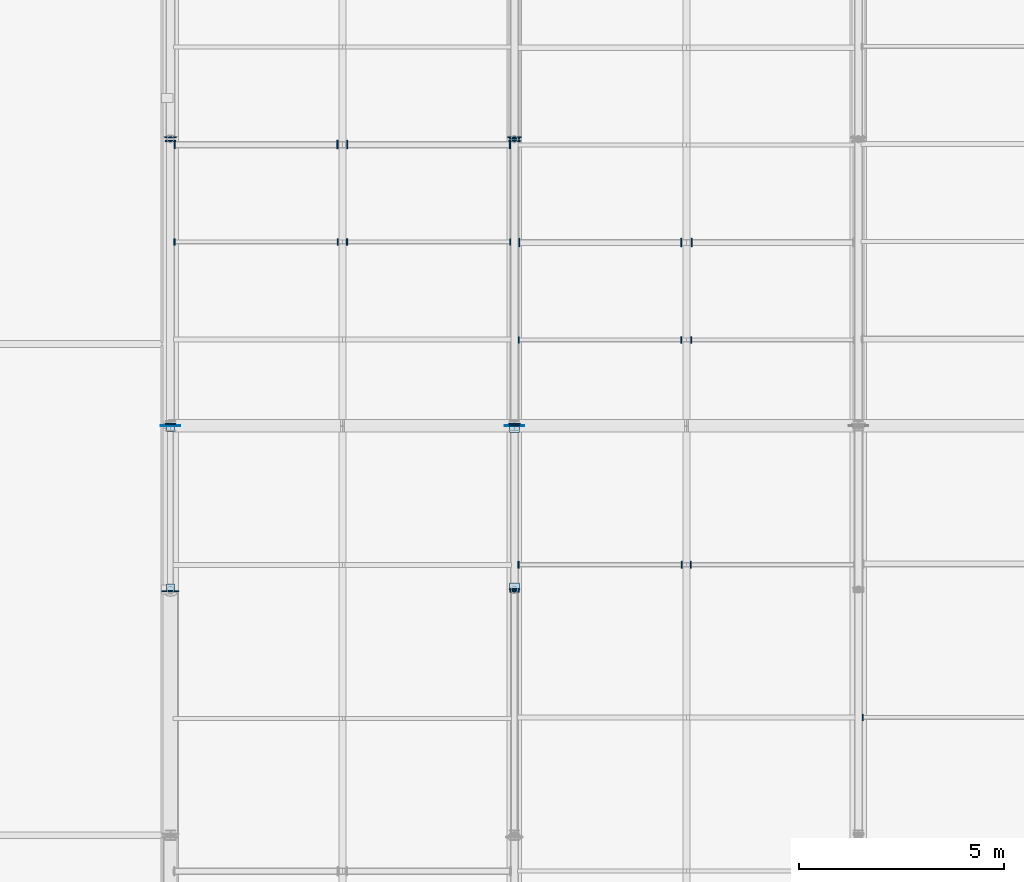
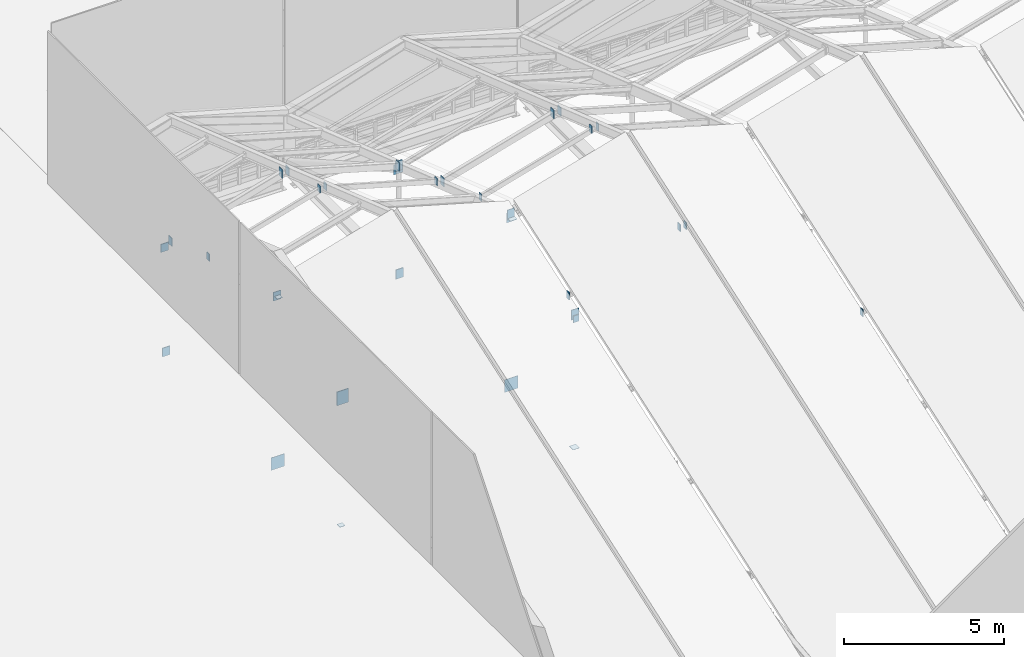
# One storey, part 59 of 77: 35 plates.
"""IFC4 building model written with IfcOpenShell, lengths in metres."""

import ifcopenshell
import ifcopenshell.guid

model = None  # the IFC model being written
_history = None  # IfcOwnerHistory: only IFC2X3 demands one
_inside = {}  # id of a spatial element -> (the spatial element, [elements in it])
_under = {}  # id of a project, library or spatial element -> (it, [spatial elements below it])
_declared = {}  # id of a project -> (the project, [libraries it declares])
_typed = {}  # id of a type object -> (the type object, [elements of that type])
_made_of = {}  # id of a material, layer set ... -> (it, [elements and type objects made of it])


def new_model(schema):
    """Start an empty IFC model of exactly this schema.

    Asked for "IFC4X3", IfcOpenShell would pick the latest addendum, in which some entities
    have other attributes; the version numbers below select the first issue.
    IFC2X3 requires an IfcOwnerHistory on every rooted entity: one is made here for all.
    """
    global model, _history
    if schema == "IFC4X3":
        model = ifcopenshell.file(schema_version=(4, 3, 0, 0))
    else:
        model = ifcopenshell.file(schema=schema)
    _inside.clear()
    _under.clear()
    _declared.clear()
    _typed.clear()
    _made_of.clear()
    _history = None
    if model.schema == "IFC2X3":
        org = make("IfcOrganization", Name="unknown")
        user = make(
            "IfcPersonAndOrganization",
            ThePerson=make("IfcPerson", FamilyName="unknown"),
            TheOrganization=org,
        )
        app = make(
            "IfcApplication",
            ApplicationDeveloper=org,
            Version="unknown",
            ApplicationFullName="unknown",
            ApplicationIdentifier="unknown",
        )
        _history = make(
            "IfcOwnerHistory",
            OwningUser=user,
            OwningApplication=app,
            ChangeAction="ADDED",
            CreationDate=0,
        )
    return model


def make(cls, **values):
    """One entity of the class cls with the attributes given. An attribute that is None is left unset."""
    return model.create_entity(
        cls, **{name: value for name, value in values.items() if value is not None}
    )


def rooted(cls, **values):
    """An entity with a GlobalId (a new one), such as an element, a storey or a relation."""
    return make(cls, GlobalId=ifcopenshell.guid.new(), OwnerHistory=_history, **values)


def si_unit(unit_type, name, prefix=None):
    """IfcSIUnit, for example si_unit("LENGTHUNIT", "METRE", prefix="MILLI")."""
    return make("IfcSIUnit", UnitType=unit_type, Prefix=prefix, Name=name)


def assignment(units):
    """IfcUnitAssignment: the units of a project."""
    return None if units is None else make("IfcUnitAssignment", Units=units)


def point(xyz):
    """IfcCartesianPoint."""
    return None if xyz is None else make("IfcCartesianPoint", Coordinates=xyz)


def direction(xyz):
    """IfcDirection."""
    return None if xyz is None else make("IfcDirection", DirectionRatios=xyz)


def frame(location, z_axis=None, x_axis=None):
    """IfcAxis2Placement3D, a coordinate frame: its origin and axes. An axis left out is left unset."""
    return make(
        "IfcAxis2Placement3D",
        Location=point(location),
        Axis=direction(z_axis),
        RefDirection=direction(x_axis),
    )


def frame_2d(location, x_axis=None):
    """IfcAxis2Placement2D, a coordinate frame in the plane: its origin and x axis."""
    return make(
        "IfcAxis2Placement2D", Location=point(location), RefDirection=direction(x_axis)
    )


def origin():
    """The frame at (0, 0, 0) with its axes left unset."""
    return frame((0.0, 0.0, 0.0))


def origin_2d():
    """The frame at (0, 0) in the plane with its x axis left unset."""
    return frame_2d((0.0, 0.0))


def place(relative_to, where):
    """IfcLocalPlacement: puts the frame where relative to a parent placement (None: the world)."""
    return make(
        "IfcLocalPlacement", PlacementRelTo=relative_to, RelativePlacement=where
    )


def context(
    kind, dimensions, precision=None, world=None, true_north=None, identifier=None
):
    """IfcGeometricRepresentationContext, for example the 3D "Model" context."""
    return make(
        "IfcGeometricRepresentationContext",
        ContextIdentifier=identifier,
        ContextType=kind,
        CoordinateSpaceDimension=dimensions,
        Precision=precision,
        WorldCoordinateSystem=world,
        TrueNorth=true_north,
    )


def subcontext(parent, identifier, kind, view, scale=None):
    """IfcGeometricRepresentationSubContext, for example "Body" below "Model"."""
    return make(
        "IfcGeometricRepresentationSubContext",
        ContextIdentifier=identifier,
        ContextType=kind,
        ParentContext=parent,
        TargetScale=scale,
        TargetView=view,
    )


def project(units=None, contexts=None):
    """IfcProject with its units and contexts."""
    return rooted(
        "IfcProject",
        Name="project",
        RepresentationContexts=contexts,
        UnitsInContext=assignment(units),
    )


def spatial(cls, under=None, at=None, **own):
    """A site, building, storey or space (cls), placed at a placement, below another one or the project."""
    s = rooted(cls, ObjectPlacement=at, **own)
    if under is not None:
        _under.setdefault(under.id(), (under, []))[1].append(s)
    return s


def profile(cls, at=None, kind="AREA", **sizes):
    """A parametric profile (cls). Its sizes go by their IFC names, for example OverallWidth=200.0."""
    return make(cls, ProfileType=kind, Position=at, **sizes)


def rectangle(**sizes):
    """IfcRectangleProfileDef."""
    return profile("IfcRectangleProfileDef", **sizes)


def extrude(swept, where, along, depth):
    """IfcExtrudedAreaSolid: the profile swept, set in the frame where, extruded along a direction by depth."""
    return make(
        "IfcExtrudedAreaSolid",
        SweptArea=swept,
        Position=where,
        ExtrudedDirection=direction(along),
        Depth=depth,
    )


def shape(context_of_items, identifier, shape_type, items):
    """IfcShapeRepresentation: the items that make up one representation, for example the "Body"."""
    return make(
        "IfcShapeRepresentation",
        ContextOfItems=context_of_items,
        RepresentationIdentifier=identifier,
        RepresentationType=shape_type,
        Items=items,
    )


def material(Name=None, Category=None):
    """IfcMaterial."""
    return make("IfcMaterial", Name=Name, Category=Category)


def layer(
    of_material, thickness, ventilated=None, Name=None, Category=None, Priority=None
):
    """IfcMaterialLayer: one layer of a wall or slab, of a material (None: an air gap)."""
    return make(
        "IfcMaterialLayer",
        Material=of_material,
        LayerThickness=thickness,
        IsVentilated=ventilated,
        Name=Name,
        Category=Category,
        Priority=Priority,
    )


def layer_set(layers, Name=None):
    """IfcMaterialLayerSet."""
    return make("IfcMaterialLayerSet", MaterialLayers=layers, LayerSetName=Name)


def made_of(thing, what):
    """Note that an element or type object is made of a material, layer set ...; save() writes the relation."""
    if what is not None:
        _made_of.setdefault(what.id(), (what, []))[1].append(thing)
    return thing


def type_object(cls, material=None, **own):
    """A type object (cls), such as IfcWallType, which elements share."""
    return made_of(rooted(cls, **own), material)


def element(
    cls,
    number,
    at=None,
    inside=None,
    cuts=None,
    type_object=None,
    material=None,
    context=None,
    identifier="Body",
    shape_type=None,
    held_by="IfcProductDefinitionShape",
    body=None,
    shapes=None,
    **own,
):
    """One element of the class cls, such as IfcWall. Its Tag is "e" and its number.

    at: its placement. inside: the storey or other place that contains it. cuts: it is an
    opening in that element (IfcRelVoidsElement). A single representation is given by context,
    identifier, shape_type and body (its items); several are given by shapes. held_by: the class
    of the entity that holds the representations. save() writes the other relations.
    """
    e = rooted(cls, Tag="e%d" % number, ObjectPlacement=at, **own)
    if body is not None:
        shapes = [shape(context, identifier, shape_type, body)]
    if shapes is not None:
        e.Representation = make(held_by, Representations=shapes)
    if inside is not None:
        _inside.setdefault(inside.id(), (inside, []))[1].append(e)
    if cuts is not None:
        rooted(
            "IfcRelVoidsElement", RelatingBuildingElement=cuts, RelatedOpeningElement=e
        )
    if type_object is not None:
        _typed.setdefault(type_object.id(), (type_object, []))[1].append(e)
    return made_of(e, material)


def aggregate(whole, parts):
    """IfcRelAggregates: a whole, such as a stair, and the parts it consists of."""
    return rooted("IfcRelAggregates", RelatingObject=whole, RelatedObjects=parts)


def save(model, path):
    """Write the relations noted so far, then the file.

    IfcRelAggregates (storeys below a building ...), IfcRelContainedInSpatialStructure (elements
    in a storey), IfcRelDefinesByType, IfcRelAssociatesMaterial and IfcRelDeclares: one each for
    every whole, place, type object, material and project.
    """
    for whole, parts in _under.values():
        aggregate(whole, parts)
    for where, things in _inside.values():
        rooted(
            "IfcRelContainedInSpatialStructure",
            RelatedElements=things,
            RelatingStructure=where,
        )
    for kind, things in _typed.values():
        rooted("IfcRelDefinesByType", RelatedObjects=things, RelatingType=kind)
    for what, things in _made_of.values():
        rooted("IfcRelAssociatesMaterial", RelatedObjects=things, RelatingMaterial=what)
    for by, libraries in _declared.values():
        rooted("IfcRelDeclares", RelatingContext=by, RelatedDefinitions=libraries)
    model.write(path)


model = new_model("IFC4")

# Units and contexts
model_context = context("Model", 3, precision=1e-05, world=origin(), true_north=direction((0.0, 1.0)))
body_context = subcontext(model_context, "Body", "Model", "MODEL_VIEW")
ifc_project = project(units=[si_unit("LENGTHUNIT", "METRE"), si_unit("AREAUNIT", "SQUARE_METRE"), si_unit("VOLUMEUNIT", "CUBIC_METRE"), si_unit("PLANEANGLEUNIT", "RADIAN"), si_unit("MASSUNIT", "GRAM", prefix="KILO")], contexts=[model_context])

# Site, building, storey
site_placement = place(None, origin())
site = spatial("IfcSite", under=ifc_project, at=site_placement, CompositionType="ELEMENT")
building_placement = place(site_placement, origin())
building = spatial("IfcBuilding", under=site, at=building_placement, Name="Larkvane Passage Sports Hall", CompositionType="ELEMENT")
storey_placement = place(building_placement, frame((0.0, 0.0, 22.199951171875)))
storey = spatial("IfcBuildingStorey", under=building, at=storey_placement, Name="RF", CompositionType="ELEMENT", Elevation=22.199951171875)

# Plates
ifc_material_1 = material(Name="Steel S355JR", Category="steel")
ifc_layer_1 = layer(ifc_material_1, 0.011962890625)
ifc_layer_set_1 = layer_set([ifc_layer_1], Name="Steel S355JR")
plate_type_1 = type_object("IfcPlateType", Name="PLT-CAP-12", PredefinedType="SHEET", material=ifc_layer_set_1)
for number, where, z_axis, x_axis, name in (
    (1, (34.800048828125, 57.646728515625, 0.17919921875), (0.0, 0.0, 1.0), (1.0, 0.0, 0.0), "Hollow section sealed end cap plate 0229"),
    (2, (34.800048828125, 61.55322265625, 6.4892578125), (0.0, 0.0, 1.0), (1.0, 0.0, 0.0), "Hollow section sealed end cap plate 0230"),
):
    element("IfcPlate", number, at=place(storey_placement, frame(where, z_axis=z_axis, x_axis=x_axis)), inside=storey, type_object=plate_type_1, Name=name, PredefinedType="SHEET", context=body_context, shape_type="SweptSolid", body=[
        extrude(rectangle(XDim=0.18994140625, YDim=0.18994140625, at=origin_2d()), origin(), (0.0, 0.0, 1.0), 0.011962890625),
    ])
for number, where, z_axis, x_axis, name in (
    (3, (34.800048828125, 61.6455078125, 6.32861328125), (0.0, 0.0, 1.0), (-1.0, 0.0, 0.0), "Hollow section sealed end cap plate 0231"),
    (4, (34.800048828125, 68.554443359375, 0.0205078125), (0.0, 0.0, 1.0), (-1.0, 0.0, 0.0), "Hollow section sealed end cap plate 0232"),
):
    element("IfcPlate", number, at=place(storey_placement, frame(where, z_axis=z_axis, x_axis=x_axis)), inside=storey, type_object=plate_type_1, Name=name, PredefinedType="SHEET", context=body_context, shape_type="SweptSolid", body=[
        extrude(rectangle(XDim=0.260009765625, YDim=0.028076171875, at=origin_2d()), origin(), (0.0, 0.0, 1.0), 0.3310546875),
    ])
plate_1_placement = place(storey_placement, frame((34.800048828125, 68.644775390625, 3.93896484375), z_axis=(0.0, 0.0, 1.0), x_axis=(-1.0, 0.0, 0.0)))
element("IfcPlate", 5, at=plate_1_placement, inside=storey, type_object=plate_type_1, Name="Hollow section sealed end cap plate 0233", PredefinedType="SHEET", context=body_context, shape_type="SweptSolid", body=[
    extrude(rectangle(XDim=0.27587890625, YDim=0.028076171875, at=origin_2d()), origin(), (0.0, 0.0, 1.0), 0.30810546875),
])
plate_2_placement = place(storey_placement, frame((43.199951171875, 57.5546875, 5.0341796875), z_axis=(0.0, 0.0, 1.0), x_axis=(-1.0, 0.0, 0.0)))
element("IfcPlate", 6, at=plate_2_placement, inside=storey, type_object=plate_type_1, Name="Hollow section sealed end cap plate 0245", PredefinedType="SHEET", context=body_context, shape_type="SweptSolid", body=[
    extrude(rectangle(XDim=0.2099609375, YDim=0.028076171875, at=origin_2d()), origin(), (0.0, 0.0, 1.0), 0.256103515625),
])
for number, where, z_axis, x_axis, name in (
    (7, (43.199951171875, 57.64697265625, 0.2041015625), (0.0, 0.0, 1.0), (1.0, 0.0, 0.0), "Hollow section sealed end cap plate 0247"),
    (8, (43.199951171875, 61.552978515625, 6.5390625), (0.0, 0.0, 1.0), (1.0, 0.0, 0.0), "Hollow section sealed end cap plate 0248"),
):
    element("IfcPlate", number, at=place(storey_placement, frame(where, z_axis=z_axis, x_axis=x_axis)), inside=storey, type_object=plate_type_1, Name=name, PredefinedType="SHEET", context=body_context, shape_type="SweptSolid", body=[
        extrude(rectangle(XDim=0.239990234375, YDim=0.239990234375, at=origin_2d()), origin(), (0.0, 0.0, 1.0), 0.011962890625),
    ])
for number, where, z_axis, x_axis, name in (
    (9, (43.199951171875, 61.6455078125, 6.36767578125), (0.0, 0.0, 1.0), (-1.0, 0.0, 0.0), "Hollow section sealed end cap plate 0250"),
    (10, (43.199951171875, 68.554443359375, 0.034423828125), (0.0, 0.0, 1.0), (-1.0, 0.0, 0.0), "Hollow section sealed end cap plate 0251"),
):
    element("IfcPlate", number, at=place(storey_placement, frame(where, z_axis=z_axis, x_axis=x_axis)), inside=storey, type_object=plate_type_1, Name=name, PredefinedType="SHEET", context=body_context, shape_type="SweptSolid", body=[
        extrude(rectangle(XDim=0.27587890625, YDim=0.028076171875, at=origin_2d()), origin(), (0.0, 0.0, 1.0), 0.35302734375),
    ])
plate_3_placement = place(storey_placement, frame((43.199951171875, 68.644775390625, 3.958984375), z_axis=(0.0, 0.0, 1.0), x_axis=(-1.0, 0.0, 0.0)))
element("IfcPlate", 11, at=plate_3_placement, inside=storey, type_object=plate_type_1, Name="Hollow section sealed end cap plate 0253", PredefinedType="SHEET", context=body_context, shape_type="SweptSolid", body=[
    extrude(rectangle(XDim=0.326904296875, YDim=0.028076171875, at=origin_2d()), origin(), (0.0, 0.0, 1.0), 0.367919921875),
])
for number, where, z_axis, x_axis, name in (
    (12, (34.89990234375, 66.09326171875, 5.110595703125), (0.0, 0.0, 1.0), (0.0, 1.0, 0.0), "Hollow section sealed end cap plate 0393"),
    (13, (39.111328125, 66.09326171875, 6.313720703125), (0.0, 0.0, 1.0), (0.0, 1.0, 0.0), "Hollow section sealed end cap plate 0394"),
):
    element("IfcPlate", number, at=place(storey_placement, frame(where, z_axis=z_axis, x_axis=x_axis)), inside=storey, type_object=plate_type_1, Name=name, PredefinedType="SHEET", context=body_context, shape_type="SweptSolid", body=[
        extrude(rectangle(XDim=0.159912109375, YDim=0.028076171875, at=origin_2d()), origin(), (0.0, 0.0, 1.0), 0.26806640625),
    ])
for number, where, z_axis, x_axis, name in (
    (14, (34.906494140625, 68.46533203125, 4.24560546875), (0.0, 0.0, 1.0), (0.0, 1.0, 0.0), "Hollow section sealed end cap plate 0395"),
    (15, (39.117919921875, 68.46533203125, 5.44921875), (0.0, 0.0, 1.0), (0.0, 1.0, 0.0), "Hollow section sealed end cap plate 0396"),
):
    element("IfcPlate", number, at=place(storey_placement, frame(where, z_axis=z_axis, x_axis=x_axis)), inside=storey, type_object=plate_type_1, Name=name, PredefinedType="SHEET", context=body_context, shape_type="SweptSolid", body=[
        extrude(rectangle(XDim=0.2099609375, YDim=0.028076171875, at=origin_2d()), origin(), (0.0, 0.0, 1.0), 0.320068359375),
    ])
for number, where, z_axis, x_axis, name in (
    (16, (38.888671875, 66.09326171875, 6.313720703125), (0.0, 0.0, 1.0), (0.0, 1.0, 0.0), "Hollow section sealed end cap plate 0397"),
    (17, (43.10009765625, 66.09326171875, 5.110595703125), (0.0, 0.0, 1.0), (0.0, 1.0, 0.0), "Hollow section sealed end cap plate 0398"),
):
    element("IfcPlate", number, at=place(storey_placement, frame(where, z_axis=z_axis, x_axis=x_axis)), inside=storey, type_object=plate_type_1, Name=name, PredefinedType="SHEET", context=body_context, shape_type="SweptSolid", body=[
        extrude(rectangle(XDim=0.159912109375, YDim=0.028076171875, at=origin_2d()), origin(), (0.0, 0.0, 1.0), 0.26806640625),
    ])
for number, where, z_axis, x_axis, name in (
    (18, (38.882080078125, 68.46533203125, 5.44921875), (0.0, 0.0, 1.0), (0.0, 1.0, 0.0), "Hollow section sealed end cap plate 0399"),
    (19, (43.093505859375, 68.46533203125, 4.24560546875), (0.0, 0.0, 1.0), (0.0, 1.0, 0.0), "Hollow section sealed end cap plate 0400"),
):
    element("IfcPlate", number, at=place(storey_placement, frame(where, z_axis=z_axis, x_axis=x_axis)), inside=storey, type_object=plate_type_1, Name=name, PredefinedType="SHEET", context=body_context, shape_type="SweptSolid", body=[
        extrude(rectangle(XDim=0.2099609375, YDim=0.028076171875, at=origin_2d()), origin(), (0.0, 0.0, 1.0), 0.320068359375),
    ])
for number, where, z_axis, x_axis, name in (
    (20, (43.2998046875, 58.207763671875, 5.478759765625), (0.0, 0.0, 1.0), (0.0, 1.0, 0.0), "Hollow section sealed end cap plate 0405"),
    (21, (47.511474609375, 58.207763671875, 6.68212890625), (0.0, 0.0, 1.0), (0.0, 1.0, 0.0), "Hollow section sealed end cap plate 0406"),
    (22, (47.28857421875, 58.207763671875, 6.68212890625), (0.0, 0.0, 1.0), (0.0, 1.0, 0.0), "Hollow section sealed end cap plate 0411"),
    (23, (43.310302734375, 63.70068359375, 5.89013671875), (0.0, 0.0, 1.0), (0.0, 1.0, 0.0), "Hollow section sealed end cap plate 0413"),
    (24, (47.52197265625, 63.70068359375, 7.09326171875), (0.0, 0.0, 1.0), (0.0, 1.0, 0.0), "Hollow section sealed end cap plate 0414"),
):
    element("IfcPlate", number, at=place(storey_placement, frame(where, z_axis=z_axis, x_axis=x_axis)), inside=storey, type_object=plate_type_1, Name=name, PredefinedType="SHEET", context=body_context, shape_type="SweptSolid", body=[
        extrude(rectangle(XDim=0.159912109375, YDim=0.028076171875, at=origin_2d()), origin(), (0.0, 0.0, 1.0), 0.26806640625),
    ])
for number, where, z_axis, x_axis, name in (
    (25, (43.31689453125, 66.07275390625, 5.025390625), (0.0, 0.0, 1.0), (0.0, 1.0, 0.0), "Hollow section sealed end cap plate 0415"),
    (26, (47.5283203125, 66.07275390625, 6.228515625), (0.0, 0.0, 1.0), (0.0, 1.0, 0.0), "Hollow section sealed end cap plate 0416"),
):
    element("IfcPlate", number, at=place(storey_placement, frame(where, z_axis=z_axis, x_axis=x_axis)), inside=storey, type_object=plate_type_1, Name=name, PredefinedType="SHEET", context=body_context, shape_type="SweptSolid", body=[
        extrude(rectangle(XDim=0.2099609375, YDim=0.028076171875, at=origin_2d()), origin(), (0.0, 0.0, 1.0), 0.320068359375),
    ])
plate_4_placement = place(storey_placement, frame((47.278076171875, 63.70068359375, 7.09326171875), z_axis=(0.0, 0.0, 1.0), x_axis=(0.0, 1.0, 0.0)))
element("IfcPlate", 27, at=plate_4_placement, inside=storey, type_object=plate_type_1, Name="Hollow section sealed end cap plate 0419", PredefinedType="SHEET", context=body_context, shape_type="SweptSolid", body=[
    extrude(rectangle(XDim=0.159912109375, YDim=0.028076171875, at=origin_2d()), origin(), (0.0, 0.0, 1.0), 0.26806640625),
])
plate_5_placement = place(storey_placement, frame((47.271484375, 66.07275390625, 6.228515625), z_axis=(0.0, 0.0, 1.0), x_axis=(0.0, 1.0, 0.0)))
element("IfcPlate", 28, at=plate_5_placement, inside=storey, type_object=plate_type_1, Name="Hollow section sealed end cap plate 0421", PredefinedType="SHEET", context=body_context, shape_type="SweptSolid", body=[
    extrude(rectangle(XDim=0.2099609375, YDim=0.028076171875, at=origin_2d()), origin(), (0.0, 0.0, 1.0), 0.320068359375),
])
plate_6_placement = place(storey_placement, frame((51.710205078125, 54.480224609375, 4.150390625), z_axis=(0.0, 0.0, 1.0), x_axis=(0.0, 1.0, 0.0)))
element("IfcPlate", 29, at=plate_6_placement, inside=storey, type_object=plate_type_1, Name="Hollow section sealed end cap plate 0427", PredefinedType="SHEET", context=body_context, shape_type="SweptSolid", body=[
    extrude(rectangle(XDim=0.159912109375, YDim=0.028076171875, at=origin_2d()), origin(), (0.0, 0.0, 1.0), 0.26806640625),
])
ifc_material_2 = material(Name="Steel S460N", Category="steel")
ifc_layer_2 = layer(ifc_material_2, 0.02001953125)
ifc_layer_set_2 = layer_set([ifc_layer_2], Name="Steel S460N")
plate_type_2 = type_object("IfcPlateType", Name="PLT-CAP-20", PredefinedType="SHEET", material=ifc_layer_set_2)
plate_7_placement = place(storey_placement, frame((34.800048828125, 57.5576171875, 4.853271484375), z_axis=(0.0, 0.0, 1.0), x_axis=(-1.0, 0.0, 0.0)))
element("IfcPlate", 30, at=plate_7_placement, inside=storey, type_object=plate_type_2, Name="Hollow section sealed end cap plate 0228", PredefinedType="SHEET", context=body_context, shape_type="SweptSolid", body=[
    extrude(rectangle(XDim=0.416015625, YDim=0.028076171875, at=origin_2d()), origin(), (0.0, 0.0, 1.0), 0.52294921875),
])
for number, where, z_axis, x_axis, name in (
    (31, (43.199951171875, 57.609619140625, 5.113037109375), (0.0, 0.0, 1.0), (-1.0, 0.0, 0.0), "Hollow section sealed end cap plate 0243"),
    (32, (43.199951171875, 61.609619140625, 6.494873046875), (0.0, 0.0, 1.0), (-1.0, 0.0, 0.0), "Hollow section sealed end cap plate 0246"),
    (33, (43.199951171875, 68.609619140625, 4.08837890625), (0.0, 0.0, 1.0), (-1.0, 0.0, 0.0), "Hollow section sealed end cap plate 0249"),
):
    element("IfcPlate", number, at=place(storey_placement, frame(where, z_axis=z_axis, x_axis=x_axis)), inside=storey, type_object=plate_type_2, Name=name, PredefinedType="SHEET", context=body_context, shape_type="SweptSolid", body=[
        extrude(rectangle(XDim=0.260009765625, YDim=0.028076171875, at=origin_2d()), origin(), (0.0, 0.0, 1.0), 0.376953125),
    ])
ifc_layer_3 = layer(ifc_material_2, 0.01611328125)
ifc_layer_set_3 = layer_set([ifc_layer_3], Name="Steel S460N")
plate_type_3 = type_object("IfcPlateType", Name="PLT-GUS-16", PredefinedType="USERDEFINED", material=ifc_layer_set_3)
for number, where, z_axis, x_axis, name in (
    (34, (34.800048828125, 61.60009765625, -0.050048828125), (0.0, 0.0, 1.0), (1.0, 0.0, 0.0), "Brace connection gusset plate 0235"),
    (35, (43.199951171875, 61.60009765625, -0.02490234375), (0.0, 0.0, 1.0), (1.0, 0.0, 0.0), "Brace connection gusset plate 0255"),
):
    element("IfcPlate", number, at=place(storey_placement, frame(where, z_axis=z_axis, x_axis=x_axis)), inside=storey, type_object=plate_type_3, Name=name, ObjectType="GUSSET PLATE", PredefinedType="USERDEFINED", context=body_context, shape_type="SweptSolid", body=[
        extrude(rectangle(XDim=0.47998046875, YDim=0.01611328125, at=origin_2d()), origin(), (0.0, 0.0, 1.0), 0.47998046875),
    ])

save(model, "model.ifc")
